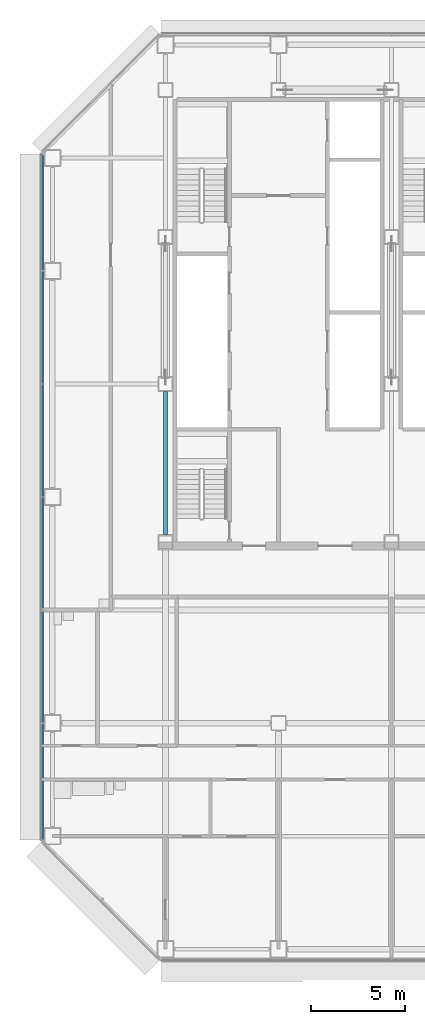
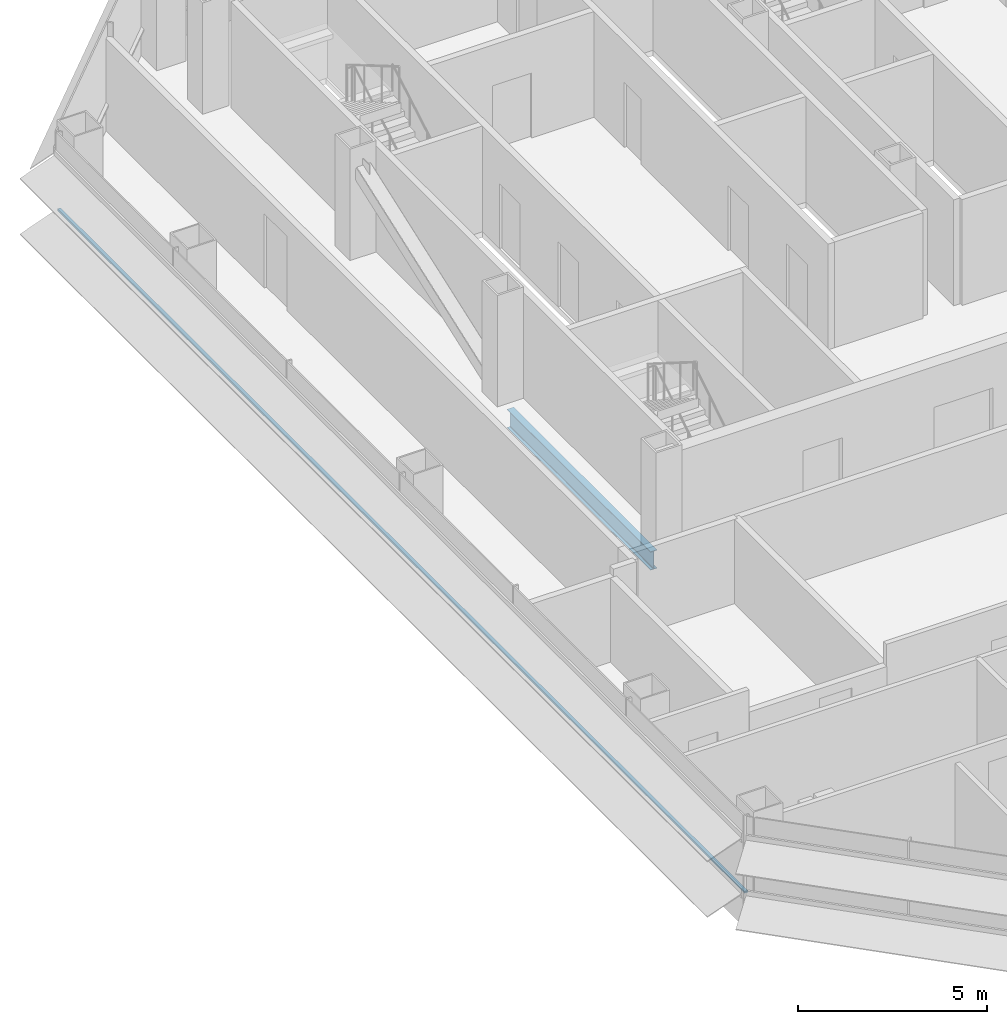
# One storey, part 5 of 27: 1 beam, 1 member, 1 element without a shape of its own.
"""IFC4 building model written with IfcOpenShell, lengths in metres."""

import ifcopenshell
import ifcopenshell.guid

model = None  # the IFC model being written
_history = None  # IfcOwnerHistory: only IFC2X3 demands one
_inside = {}  # id of a spatial element -> (the spatial element, [elements in it])
_under = {}  # id of a project, library or spatial element -> (it, [spatial elements below it])
_declared = {}  # id of a project -> (the project, [libraries it declares])
_typed = {}  # id of a type object -> (the type object, [elements of that type])
_made_of = {}  # id of a material, layer set ... -> (it, [elements and type objects made of it])


def new_model(schema):
    """Start an empty IFC model of exactly this schema.

    Asked for "IFC4X3", IfcOpenShell would pick the latest addendum, in which some entities
    have other attributes; the version numbers below select the first issue.
    IFC2X3 requires an IfcOwnerHistory on every rooted entity: one is made here for all.
    """
    global model, _history
    if schema == "IFC4X3":
        model = ifcopenshell.file(schema_version=(4, 3, 0, 0))
    else:
        model = ifcopenshell.file(schema=schema)
    _inside.clear()
    _under.clear()
    _declared.clear()
    _typed.clear()
    _made_of.clear()
    _history = None
    if model.schema == "IFC2X3":
        org = make("IfcOrganization", Name="unknown")
        user = make(
            "IfcPersonAndOrganization",
            ThePerson=make("IfcPerson", FamilyName="unknown"),
            TheOrganization=org,
        )
        app = make(
            "IfcApplication",
            ApplicationDeveloper=org,
            Version="unknown",
            ApplicationFullName="unknown",
            ApplicationIdentifier="unknown",
        )
        _history = make(
            "IfcOwnerHistory",
            OwningUser=user,
            OwningApplication=app,
            ChangeAction="ADDED",
            CreationDate=0,
        )
    return model


def make(cls, **values):
    """One entity of the class cls with the attributes given. An attribute that is None is left unset."""
    return model.create_entity(
        cls, **{name: value for name, value in values.items() if value is not None}
    )


def rooted(cls, **values):
    """An entity with a GlobalId (a new one), such as an element, a storey or a relation."""
    return make(cls, GlobalId=ifcopenshell.guid.new(), OwnerHistory=_history, **values)


def si_unit(unit_type, name, prefix=None):
    """IfcSIUnit, for example si_unit("LENGTHUNIT", "METRE", prefix="MILLI")."""
    return make("IfcSIUnit", UnitType=unit_type, Prefix=prefix, Name=name)


def assignment(units):
    """IfcUnitAssignment: the units of a project."""
    return None if units is None else make("IfcUnitAssignment", Units=units)


def point(xyz):
    """IfcCartesianPoint."""
    return None if xyz is None else make("IfcCartesianPoint", Coordinates=xyz)


def direction(xyz):
    """IfcDirection."""
    return None if xyz is None else make("IfcDirection", DirectionRatios=xyz)


def frame(location, z_axis=None, x_axis=None):
    """IfcAxis2Placement3D, a coordinate frame: its origin and axes. An axis left out is left unset."""
    return make(
        "IfcAxis2Placement3D",
        Location=point(location),
        Axis=direction(z_axis),
        RefDirection=direction(x_axis),
    )


def frame_2d(location, x_axis=None):
    """IfcAxis2Placement2D, a coordinate frame in the plane: its origin and x axis."""
    return make(
        "IfcAxis2Placement2D", Location=point(location), RefDirection=direction(x_axis)
    )


def origin():
    """The frame at (0, 0, 0) with its axes left unset."""
    return frame((0.0, 0.0, 0.0))


def origin_2d():
    """The frame at (0, 0) in the plane with its x axis left unset."""
    return frame_2d((0.0, 0.0))


def place(relative_to, where):
    """IfcLocalPlacement: puts the frame where relative to a parent placement (None: the world)."""
    return make(
        "IfcLocalPlacement", PlacementRelTo=relative_to, RelativePlacement=where
    )


def context(
    kind, dimensions, precision=None, world=None, true_north=None, identifier=None
):
    """IfcGeometricRepresentationContext, for example the 3D "Model" context."""
    return make(
        "IfcGeometricRepresentationContext",
        ContextIdentifier=identifier,
        ContextType=kind,
        CoordinateSpaceDimension=dimensions,
        Precision=precision,
        WorldCoordinateSystem=world,
        TrueNorth=true_north,
    )


def subcontext(parent, identifier, kind, view, scale=None):
    """IfcGeometricRepresentationSubContext, for example "Body" below "Model"."""
    return make(
        "IfcGeometricRepresentationSubContext",
        ContextIdentifier=identifier,
        ContextType=kind,
        ParentContext=parent,
        TargetScale=scale,
        TargetView=view,
    )


def project(units=None, contexts=None):
    """IfcProject with its units and contexts."""
    return rooted(
        "IfcProject",
        Name="project",
        RepresentationContexts=contexts,
        UnitsInContext=assignment(units),
    )


def spatial(cls, under=None, at=None, **own):
    """A site, building, storey or space (cls), placed at a placement, below another one or the project."""
    s = rooted(cls, ObjectPlacement=at, **own)
    if under is not None:
        _under.setdefault(under.id(), (under, []))[1].append(s)
    return s


def profile(cls, at=None, kind="AREA", **sizes):
    """A parametric profile (cls). Its sizes go by their IFC names, for example OverallWidth=200.0."""
    return make(cls, ProfileType=kind, Position=at, **sizes)


def rectangle(**sizes):
    """IfcRectangleProfileDef."""
    return profile("IfcRectangleProfileDef", **sizes)


def i_section(**sizes):
    """IfcIShapeProfileDef."""
    return profile("IfcIShapeProfileDef", **sizes)


def extrude(swept, where, along, depth):
    """IfcExtrudedAreaSolid: the profile swept, set in the frame where, extruded along a direction by depth."""
    return make(
        "IfcExtrudedAreaSolid",
        SweptArea=swept,
        Position=where,
        ExtrudedDirection=direction(along),
        Depth=depth,
    )


def shape(context_of_items, identifier, shape_type, items):
    """IfcShapeRepresentation: the items that make up one representation, for example the "Body"."""
    return make(
        "IfcShapeRepresentation",
        ContextOfItems=context_of_items,
        RepresentationIdentifier=identifier,
        RepresentationType=shape_type,
        Items=items,
    )


def material(Name=None, Category=None):
    """IfcMaterial."""
    return make("IfcMaterial", Name=Name, Category=Category)


def material_profile(
    of_material, cross_section, Name=None, Category=None, Priority=None
):
    """IfcMaterialProfile: a cross section and its material."""
    return make(
        "IfcMaterialProfile",
        Name=Name,
        Material=of_material,
        Profile=cross_section,
        Priority=Priority,
        Category=Category,
    )


def profile_set(profiles, Name=None, composite=None):
    """IfcMaterialProfileSet."""
    return make(
        "IfcMaterialProfileSet",
        Name=Name,
        MaterialProfiles=profiles,
        CompositeProfile=composite,
    )


def made_of(thing, what):
    """Note that an element or type object is made of a material, layer set ...; save() writes the relation."""
    if what is not None:
        _made_of.setdefault(what.id(), (what, []))[1].append(thing)
    return thing


def type_object(cls, material=None, **own):
    """A type object (cls), such as IfcWallType, which elements share."""
    return made_of(rooted(cls, **own), material)


def element(
    cls,
    number,
    at=None,
    inside=None,
    cuts=None,
    type_object=None,
    material=None,
    context=None,
    identifier="Body",
    shape_type=None,
    held_by="IfcProductDefinitionShape",
    body=None,
    shapes=None,
    **own,
):
    """One element of the class cls, such as IfcWall. Its Tag is "e" and its number.

    at: its placement. inside: the storey or other place that contains it. cuts: it is an
    opening in that element (IfcRelVoidsElement). A single representation is given by context,
    identifier, shape_type and body (its items); several are given by shapes. held_by: the class
    of the entity that holds the representations. save() writes the other relations.
    """
    e = rooted(cls, Tag="e%d" % number, ObjectPlacement=at, **own)
    if body is not None:
        shapes = [shape(context, identifier, shape_type, body)]
    if shapes is not None:
        e.Representation = make(held_by, Representations=shapes)
    if inside is not None:
        _inside.setdefault(inside.id(), (inside, []))[1].append(e)
    if cuts is not None:
        rooted(
            "IfcRelVoidsElement", RelatingBuildingElement=cuts, RelatedOpeningElement=e
        )
    if type_object is not None:
        _typed.setdefault(type_object.id(), (type_object, []))[1].append(e)
    return made_of(e, material)


def aggregate(whole, parts):
    """IfcRelAggregates: a whole, such as a stair, and the parts it consists of."""
    return rooted("IfcRelAggregates", RelatingObject=whole, RelatedObjects=parts)


def save(model, path):
    """Write the relations noted so far, then the file.

    IfcRelAggregates (storeys below a building ...), IfcRelContainedInSpatialStructure (elements
    in a storey), IfcRelDefinesByType, IfcRelAssociatesMaterial and IfcRelDeclares: one each for
    every whole, place, type object, material and project.
    """
    for whole, parts in _under.values():
        aggregate(whole, parts)
    for where, things in _inside.values():
        rooted(
            "IfcRelContainedInSpatialStructure",
            RelatedElements=things,
            RelatingStructure=where,
        )
    for kind, things in _typed.values():
        rooted("IfcRelDefinesByType", RelatedObjects=things, RelatingType=kind)
    for what, things in _made_of.values():
        rooted("IfcRelAssociatesMaterial", RelatedObjects=things, RelatingMaterial=what)
    for by, libraries in _declared.values():
        rooted("IfcRelDeclares", RelatingContext=by, RelatedDefinitions=libraries)
    model.write(path)


model = new_model("IFC4")

# Units and contexts
model_context = context("Model", 3, precision=1e-05, world=origin(), true_north=direction((0.0, 1.0)))
body_context = subcontext(model_context, "Body", "Model", "MODEL_VIEW")
ifc_project = project(units=[si_unit("LENGTHUNIT", "METRE"), si_unit("AREAUNIT", "SQUARE_METRE"), si_unit("VOLUMEUNIT", "CUBIC_METRE"), si_unit("PLANEANGLEUNIT", "RADIAN"), si_unit("MASSUNIT", "GRAM", prefix="KILO")], contexts=[model_context])

# Site, building, storey
site_placement = place(None, origin())
site = spatial("IfcSite", under=ifc_project, at=site_placement, CompositionType="ELEMENT")
building_placement = place(site_placement, origin())
building = spatial("IfcBuilding", under=site, at=building_placement, Name="Sorahane Residences", CompositionType="ELEMENT")
storey_placement = place(building_placement, frame((0.0, 0.0, 49.800048828125)))
storey = spatial("IfcBuildingStorey", under=building, at=storey_placement, Name="L08", CompositionType="ELEMENT", Elevation=49.800048828125)

# Curtain wall, member
ifc_material_1 = material(Name="Dark low-e glass and black anodised aluminium", Category="aluminium")
curtain_wall_type = type_object("IfcCurtainWallType", Name="Curtain wall CW-1 Typical unitised wall", PredefinedType="NOTDEFINED", material=ifc_material_1)
curtain_wall_placement = place(storey_placement, origin())
curtain_wall = element("IfcCurtainWall", 1, at=curtain_wall_placement, inside=storey, type_object=curtain_wall_type, Name="CW-1 curtain wall L08 W1", PredefinedType="NOTDEFINED")
ifc_material_2 = material(Name="Black anodised aluminium", Category="aluminium")
ifc_material_profile_1 = material_profile(ifc_material_2, rectangle(XDim=0.10009765625, YDim=0.06005859375, at=origin_2d()), Name="Curtain wall transom CW-1 black anodised aluminium 60x100")
ifc_profile_set_1 = profile_set([ifc_material_profile_1], Name="Black anodised aluminium")
member_type = type_object("IfcMemberType", Name="Curtain wall transom CW-1 black anodised aluminium 60x100", PredefinedType="USERDEFINED", material=ifc_profile_set_1)
member_placement = place(storey_placement, frame((-0.530029296875, 42.198486328125, 0.89990234375), z_axis=(0.0, -1.0, 0.0), x_axis=(1.0, 0.0, 0.0)))
member = element("IfcMember", 2, at=member_placement, type_object=member_type, Name="CW-1 transom L08 W1", ObjectType="TRANSOM", PredefinedType="USERDEFINED", context=body_context, shape_type="SweptSolid", body=[
    extrude(rectangle(XDim=0.10009765625, YDim=0.06005859375, at=origin_2d()), origin(), (0.0, 0.0, 1.0), 36.39697265625),
])
aggregate(curtain_wall, [member])

# Beam
ifc_material_3 = material(Name="Steel Q355B", Category="steel")
ifc_material_profile_2 = material_profile(ifc_material_3, i_section(OverallWidth=0.199951171875, OverallDepth=0.60009765625, WebThickness=0.010986328125, FlangeThickness=0.01708984375, FilletRadius=0.02392578125, at=origin_2d()), Name="HN 600x200x11x17")
ifc_profile_set_2 = profile_set([ifc_material_profile_2], Name="Steel Q355B")
beam_type = type_object("IfcBeamType", Name="Steel floor beam HN 600x200x11x17 Q355B", PredefinedType="BEAM", material=ifc_profile_set_2)
beam_placement = place(storey_placement, frame((6.0, 22.0, -0.47998046875), z_axis=(0.0, 1.0, 0.0), x_axis=(-1.0, 0.0, 0.0)))
element("IfcBeam", 3, at=beam_placement, inside=storey, type_object=beam_type, Name="Beam L08 023", PredefinedType="BEAM", context=body_context, shape_type="SweptSolid", body=[
    extrude(i_section(OverallWidth=0.199951171875, OverallDepth=0.60009765625, WebThickness=0.010986328125, FlangeThickness=0.01708984375, FilletRadius=0.02392578125, at=origin_2d()), origin(), (0.0, 0.0, 1.0), 7.60009765625),
])

save(model, "model.ifc")
